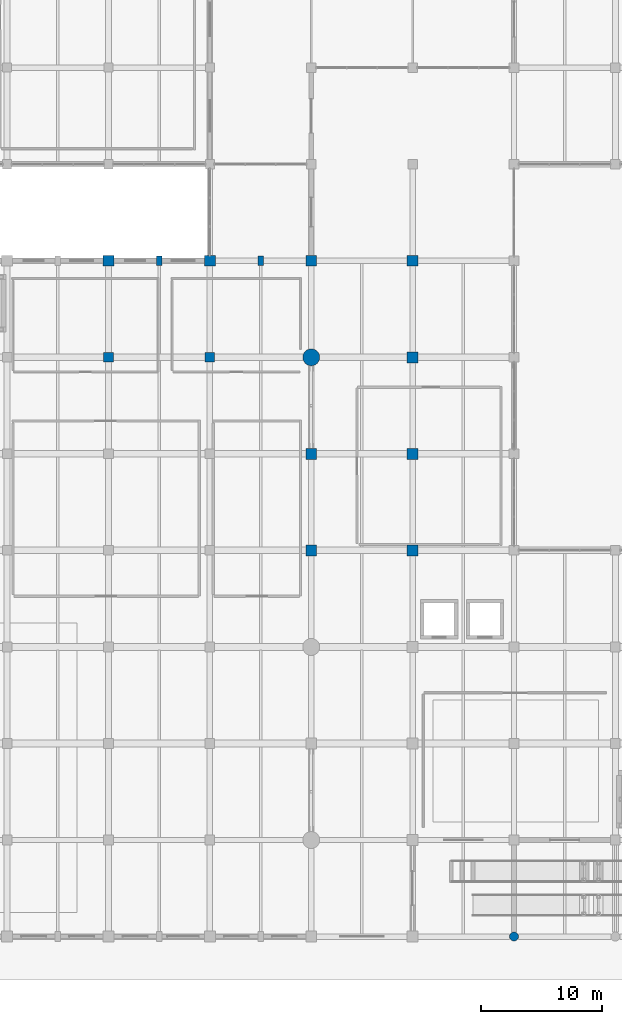
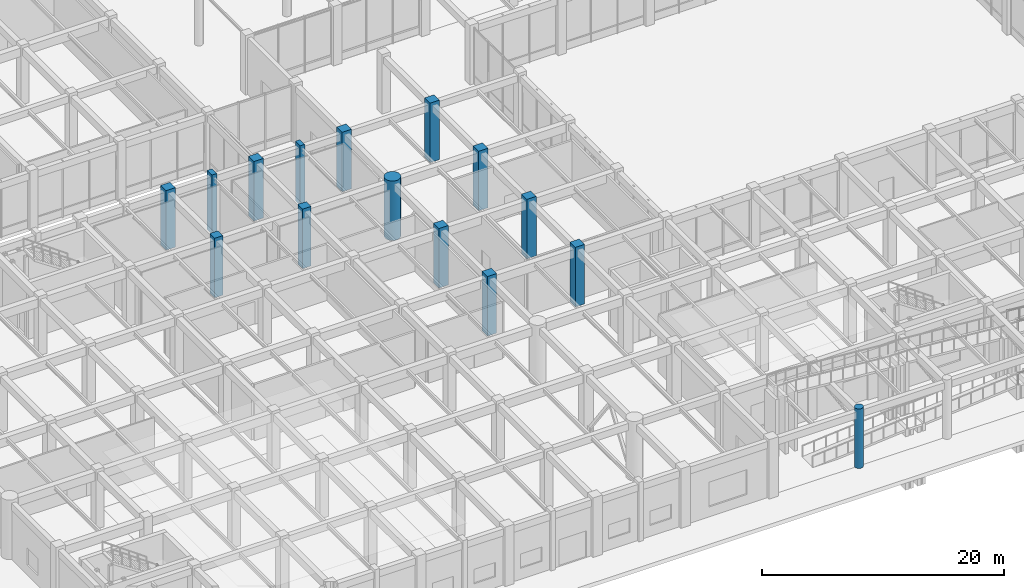
# One storey, part 4 of 76: 15 columns.
"""IFC4 building model written with IfcOpenShell, lengths in metres."""

from ifc_helpers import new_model, si_unit, direction, frame, origin, origin_2d, place, context, subcontext, project, spatial, rectangle, circle, extrude, material, material_profile, profile_set, type_object, element, save


model = new_model("IFC4")

# Units and contexts
model_context = context("Model", 3, precision=1e-05, world=origin(), true_north=direction((0.0, 1.0)))
body_context = subcontext(model_context, "Body", "Model", "MODEL_VIEW")
ifc_project = project(units=[si_unit("LENGTHUNIT", "METRE"), si_unit("AREAUNIT", "SQUARE_METRE"), si_unit("VOLUMEUNIT", "CUBIC_METRE"), si_unit("PLANEANGLEUNIT", "RADIAN"), si_unit("MASSUNIT", "GRAM", prefix="KILO")], contexts=[model_context])

# Site, building, storey
site_placement = place(None, origin())
site = spatial("IfcSite", under=ifc_project, at=site_placement, CompositionType="ELEMENT")
building_placement = place(site_placement, origin())
building = spatial("IfcBuilding", under=site, at=building_placement, Name="Naruveol Harbour Congress Hotel", CompositionType="ELEMENT")
storey_placement = place(building_placement, origin())
storey = spatial("IfcBuildingStorey", under=building, at=storey_placement, Name="L00", CompositionType="ELEMENT", Elevation=0.0)

# Columns
ifc_material_1 = material(Name="Concrete C50/60", Category="concrete")
ifc_material_profile_1 = material_profile(ifc_material_1, rectangle(XDim=0.449951171875, YDim=0.800048828125, at=origin_2d()), Name="RC-450x800")
ifc_profile_set_1 = profile_set([ifc_material_profile_1], Name="Concrete C50/60")
column_type_1 = type_object("IfcColumnType", Name="RC ACOUSTIC WALL PILASTER 450X800", PredefinedType="PILASTER", material=ifc_profile_set_1)
for number, where, z_axis, x_axis, name in (
    (1, (37.800048828125, 56.0, 0.0), (0.0, 0.0, 1.0), (1.0, 0.0, 0.0), "Column PL-450 L00 (37.8,56.0)"),
    (2, (46.199951171875, 56.0, 0.0), (0.0, 0.0, 1.0), (1.0, 0.0, 0.0), "Column PL-450 L00 (46.2,56.0)"),
):
    element("IfcColumn", number, at=place(storey_placement, frame(where, z_axis=z_axis, x_axis=x_axis)), inside=storey, type_object=column_type_1, Name=name, PredefinedType="PILASTER", context=body_context, shape_type="SweptSolid", body=[
        extrude(rectangle(XDim=0.449951171875, YDim=0.800048828125, at=origin_2d()), origin(), (0.0, 0.0, 1.0), 6.0),
    ])
ifc_material_2 = material(Name="Concrete C50/60", Category="concrete")
ifc_material_profile_2 = material_profile(ifc_material_2, circle(Radius=0.375, at=origin_2d()), Name="RC-D750")
ifc_profile_set_2 = profile_set([ifc_material_profile_2], Name="Concrete C50/60")
column_type_2 = type_object("IfcColumnType", Name="RC COLONNADE COLUMN D750", PredefinedType="COLUMN", material=ifc_profile_set_2)
column_1_placement = place(storey_placement, frame((67.199951171875, 0.0, 0.0), z_axis=(0.0, 0.0, 1.0), x_axis=(1.0, 0.0, 0.0)))
element("IfcColumn", 3, at=column_1_placement, inside=storey, type_object=column_type_2, Name="Column C-CD750 L00 (67.2,0.0)", PredefinedType="COLUMN", context=body_context, shape_type="SweptSolid", body=[
    extrude(circle(Radius=0.375, at=origin_2d()), origin(), (0.0, 0.0, 1.0), 6.0),
])
ifc_material_3 = material(Name="Concrete C50/60", Category="concrete")
ifc_material_profile_3 = material_profile(ifc_material_3, circle(Radius=0.699951171875, at=origin_2d()), Name="RC-D1400")
ifc_profile_set_3 = profile_set([ifc_material_profile_3], Name="Concrete C50/60")
column_type_3 = type_object("IfcColumnType", Name="RC MEGA COLUMN D1400", PredefinedType="COLUMN", material=ifc_profile_set_3)
column_2_placement = place(storey_placement, frame((50.39990234375, 48.0, 0.0), z_axis=(0.0, 0.0, 1.0), x_axis=(1.0, 0.0, 0.0)))
element("IfcColumn", 4, at=column_2_placement, inside=storey, type_object=column_type_3, Name="Column C-MD1400 L00 (50.4,48.0)", PredefinedType="COLUMN", context=body_context, shape_type="SweptSolid", body=[
    extrude(circle(Radius=0.699951171875, at=origin_2d()), origin(), (0.0, 0.0, 1.0), 6.0),
])
ifc_material_4 = material(Name="Concrete C50/60", Category="concrete")
ifc_material_profile_4 = material_profile(ifc_material_4, rectangle(XDim=0.800048828125, YDim=0.800048828125, at=origin_2d()), Name="RC-800x800")
ifc_profile_set_4 = profile_set([ifc_material_profile_4], Name="Concrete C50/60")
column_type_4 = type_object("IfcColumnType", Name="RC PODIUM COLUMN 800X800", PredefinedType="COLUMN", material=ifc_profile_set_4)
for number, where, z_axis, x_axis, name in (
    (5, (33.60009765625, 48.0, 0.0), (0.0, 0.0, 1.0), (1.0, 0.0, 0.0), "Column C-800 L00 (33.6,48.0)"),
    (6, (42.0, 48.0, 0.0), (0.0, 0.0, 1.0), (1.0, 0.0, 0.0), "Column C-800 L00 (42.0,48.0)"),
):
    element("IfcColumn", number, at=place(storey_placement, frame(where, z_axis=z_axis, x_axis=x_axis)), inside=storey, type_object=column_type_4, Name=name, PredefinedType="COLUMN", context=body_context, shape_type="SweptSolid", body=[
        extrude(rectangle(XDim=0.800048828125, YDim=0.800048828125, at=origin_2d()), origin(), (0.0, 0.0, 1.0), 6.0),
    ])
ifc_material_5 = material(Name="Concrete C50/60", Category="concrete")
ifc_material_profile_5 = material_profile(ifc_material_5, rectangle(XDim=0.89990234375, YDim=0.89990234375, at=origin_2d()), Name="RC-900x900")
ifc_profile_set_5 = profile_set([ifc_material_profile_5], Name="Concrete C50/60")
column_type_5 = type_object("IfcColumnType", Name="RC PRIMARY COLUMN 900X900", PredefinedType="COLUMN", material=ifc_profile_set_5)
for number, where, z_axis, x_axis, name in (
    (7, (33.60009765625, 56.0, 0.0), (0.0, 0.0, 1.0), (1.0, 0.0, 0.0), "Column C-900 L00 (33.6,56.0)"),
    (8, (42.0, 56.0, 0.0), (0.0, 0.0, 1.0), (1.0, 0.0, 0.0), "Column C-900 L00 (42.0,56.0)"),
    (9, (50.39990234375, 32.0, 0.0), (0.0, 0.0, 1.0), (1.0, 0.0, 0.0), "Column C-900 L00 (50.4,32.0)"),
    (10, (50.39990234375, 40.0, 0.0), (0.0, 0.0, 1.0), (1.0, 0.0, 0.0), "Column C-900 L00 (50.4,40.0)"),
    (11, (50.39990234375, 56.0, 0.0), (0.0, 0.0, 1.0), (1.0, 0.0, 0.0), "Column C-900 L00 (50.4,56.0)"),
    (12, (58.800048828125, 32.0, 0.0), (0.0, 0.0, 1.0), (1.0, 0.0, 0.0), "Column C-900 L00 (58.8,32.0)"),
    (13, (58.800048828125, 40.0, 0.0), (0.0, 0.0, 1.0), (1.0, 0.0, 0.0), "Column C-900 L00 (58.8,40.0)"),
    (14, (58.800048828125, 48.0, 0.0), (0.0, 0.0, 1.0), (1.0, 0.0, 0.0), "Column C-900 L00 (58.8,48.0)"),
    (15, (58.800048828125, 56.0, 0.0), (0.0, 0.0, 1.0), (1.0, 0.0, 0.0), "Column C-900 L00 (58.8,56.0)"),
):
    element("IfcColumn", number, at=place(storey_placement, frame(where, z_axis=z_axis, x_axis=x_axis)), inside=storey, type_object=column_type_5, Name=name, PredefinedType="COLUMN", context=body_context, shape_type="SweptSolid", body=[
        extrude(rectangle(XDim=0.89990234375, YDim=0.89990234375, at=origin_2d()), origin(), (0.0, 0.0, 1.0), 6.0),
    ])

save(model, "model.ifc")
